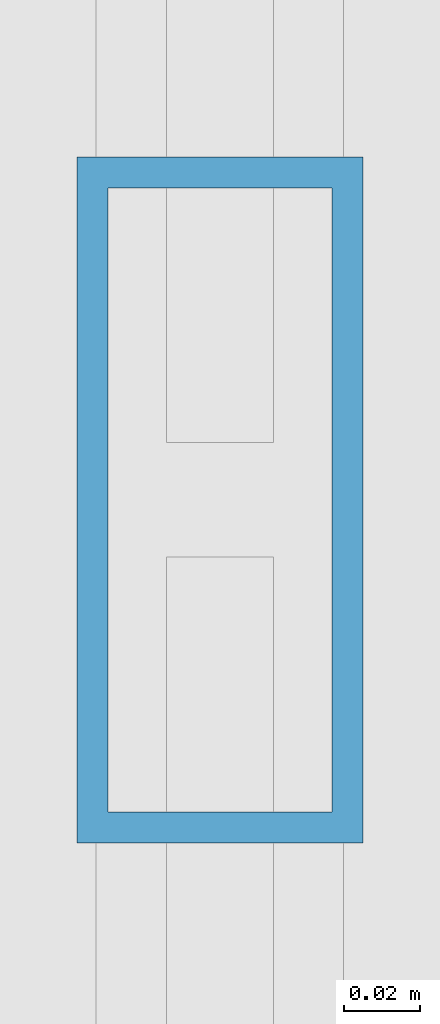
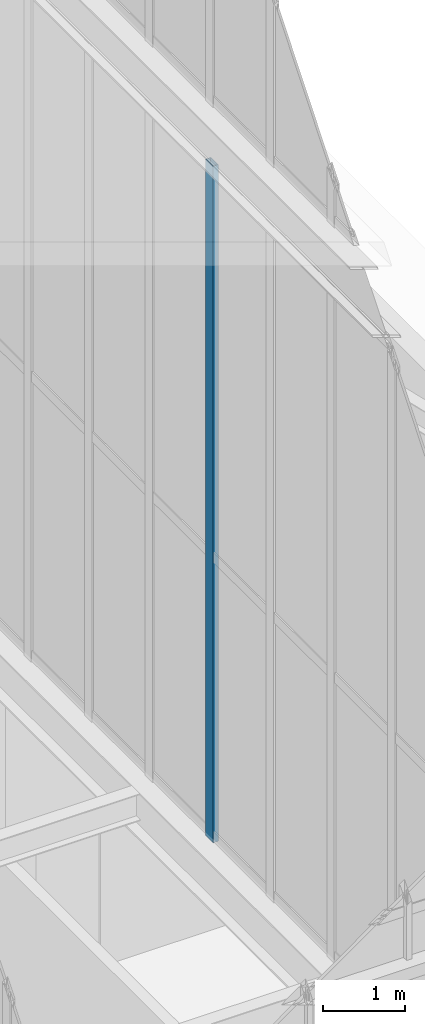
# One storey, part 68 of 135: 1 member, 1 element without a shape of its own.
"""IFC4 building model written with IfcOpenShell, lengths in metres."""

from ifc_helpers import new_model, si_unit, direction, frame, origin, origin_2d, place, context, subcontext, project, spatial, hollow_rectangle, extrude, source, transform, mapped, material, layer, layer_set, material_profile, profile_set, type_object, element, aggregate, save


model = new_model("IFC4")

# Units and contexts
model_context = context("Model", 3, precision=1e-05, world=origin(), true_north=direction((0.0, 1.0)))
body_context = subcontext(model_context, "Body", "Model", "MODEL_VIEW")
ifc_project = project(units=[si_unit("LENGTHUNIT", "METRE"), si_unit("AREAUNIT", "SQUARE_METRE"), si_unit("VOLUMEUNIT", "CUBIC_METRE"), si_unit("PLANEANGLEUNIT", "RADIAN"), si_unit("MASSUNIT", "GRAM", prefix="KILO")], contexts=[model_context])

# Site, building, storey
site_placement = place(None, origin())
site = spatial("IfcSite", under=ifc_project, at=site_placement, CompositionType="ELEMENT")
building_placement = place(site_placement, origin())
building = spatial("IfcBuilding", under=site, at=building_placement, Name="Giltprow Tower", CompositionType="ELEMENT")
storey_placement = place(building_placement, frame((0.0, 0.0, 352.699951171875)))
storey = spatial("IfcBuildingStorey", under=building, at=storey_placement, Name="L92", CompositionType="ELEMENT", Elevation=352.699951171875)

# Curtain wall, member
ifc_material = material(Name="Anodized bronze", Category="metal")
ifc_layer = layer(ifc_material, 0.179931640625, Name="Anodized bronze")
ifc_layer_set = layer_set([ifc_layer], Name="Anodized bronze")
curtain_wall_type = type_object("IfcCurtainWallType", Name="CW-CROWN-LANTERN", PredefinedType="NOTDEFINED", material=ifc_layer_set)
curtain_wall_placement = place(storey_placement, origin())
curtain_wall = element("IfcCurtainWall", 1, at=curtain_wall_placement, inside=storey, type_object=curtain_wall_type, Name="Crown East Lower Lantern Glazing 2", PredefinedType="NOTDEFINED")
ifc_material_profile = material_profile(ifc_material, hollow_rectangle(XDim=0.074951171875, YDim=0.179931640625, WallThickness=0.008056640625, at=origin_2d()), Name="RHS 180x75x8")
ifc_profile_set = profile_set([ifc_material_profile], Name="Anodized bronze")
member_type = type_object("IfcMemberType", Name="CW-MULLION-180x75", PredefinedType="MULLION", material=ifc_profile_set)
shared_shape = source(origin(), body_context, "Body", "SweptSolid", [
    extrude(hollow_rectangle(XDim=0.074951171875, YDim=0.179931640625, WallThickness=0.008056640625, at=origin_2d()), origin(), (0.0, 0.0, 1.0), 10.030029296875),
])
member_placement = place(storey_placement, frame((50.550048828125, 31.2109375, 6.35009765625), z_axis=(0.0, 0.0, 1.0), x_axis=(1.0, 0.0, 0.0)))
member = element("IfcMember", 2, at=member_placement, type_object=member_type, Name="Crown East Lower Lantern Glazing 2 Mullion 6", PredefinedType="MULLION", context=body_context, shape_type="MappedRepresentation", body=[
    mapped(shared_shape, transform((0.0, 0.0, 0.0), x_axis=(1.0, 0.0, 0.0), y_axis=(0.0, 1.0, 0.0), z_axis=(0.0, 0.0, 1.0), scale=1.0)),
])
aggregate(curtain_wall, [member])

save(model, "model.ifc")
